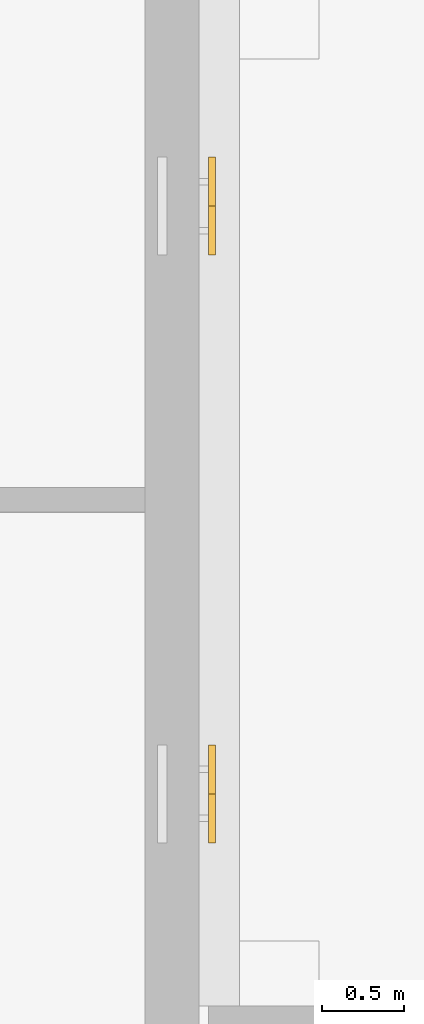
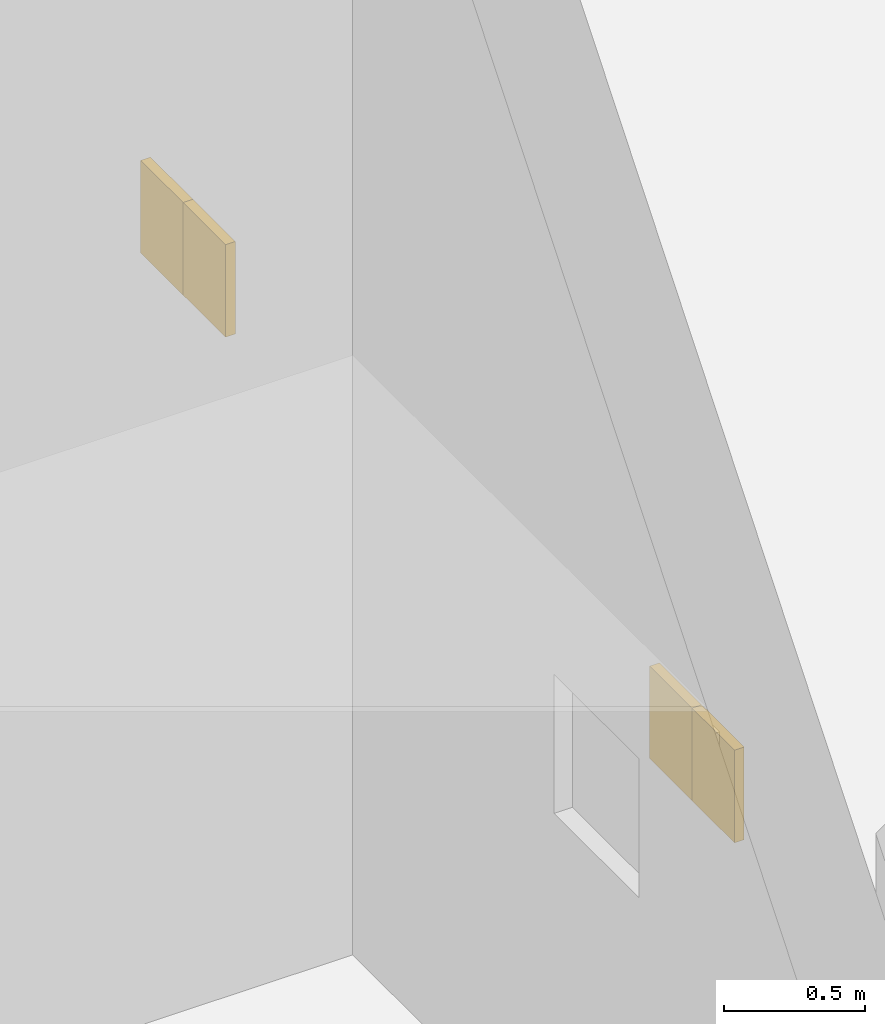
# One storey, part 83 of 84: 4 coverings.
"""IFC4 building model written with IfcOpenShell, lengths in metres."""

from ifc_helpers import new_model, si_unit, direction, frame, origin, origin_2d, place, context, subcontext, project, spatial, rectangle, extrude, material, layer, layer_set, type_object, element, save


model = new_model("IFC4")

# Units and contexts
model_context = context("Model", 3, precision=1e-05, world=origin(), true_north=direction((0.0, 1.0)))
body_context = subcontext(model_context, "Body", "Model", "MODEL_VIEW")
ifc_project = project(units=[si_unit("LENGTHUNIT", "METRE"), si_unit("AREAUNIT", "SQUARE_METRE"), si_unit("VOLUMEUNIT", "CUBIC_METRE"), si_unit("PLANEANGLEUNIT", "RADIAN"), si_unit("MASSUNIT", "GRAM", prefix="KILO")], contexts=[model_context])

# Site, building, storey
site_placement = place(None, origin())
site = spatial("IfcSite", under=ifc_project, at=site_placement, CompositionType="ELEMENT")
building_placement = place(site_placement, origin())
building = spatial("IfcBuilding", under=site, at=building_placement, Name="Mazhai Court Health Centre", CompositionType="ELEMENT")
storey_placement = place(building_placement, origin())
storey = spatial("IfcBuildingStorey", under=building, at=storey_placement, Name="L00", CompositionType="ELEMENT", Elevation=0.0)

# Coverings
ifc_material = material(Name="Aluminium louvre", Category="aluminium")
ifc_layer = layer(ifc_material, 0.0400390625)
ifc_layer_set = layer_set([ifc_layer], Name="SHUTTER LEAF 600x40")
covering_type = type_object("IfcCoveringType", Name="SHUTTER LEAF 600x40", PredefinedType="CLADDING", material=ifc_layer_set)
for number, where, z_axis, x_axis, name in (
    (1, (150.445068359375, 36.64990234375, 1.60009765625), (0.0, 0.0, 1.0), (0.0, 1.0, 0.0), "LV-V6-L00-B40a"),
    (2, (150.445068359375, 36.949951171875, 1.60009765625), (0.0, 0.0, 1.0), (0.0, 1.0, 0.0), "LV-V6-L00-B40b"),
    (3, (150.445068359375, 40.25, 1.60009765625), (0.0, 0.0, 1.0), (0.0, 1.0, 0.0), "LV-V6-L00-B41a"),
    (4, (150.445068359375, 40.550048828125, 1.60009765625), (0.0, 0.0, 1.0), (0.0, 1.0, 0.0), "LV-V6-L00-B41b"),
):
    element("IfcCovering", number, at=place(storey_placement, frame(where, z_axis=z_axis, x_axis=x_axis)), inside=storey, type_object=covering_type, Name=name, PredefinedType="CLADDING", context=body_context, shape_type="SweptSolid", body=[
        extrude(rectangle(XDim=0.300048828125, YDim=0.0400390625, at=origin_2d()), origin(), (0.0, 0.0, 1.0), 0.39990234375),
    ])

save(model, "model.ifc")
